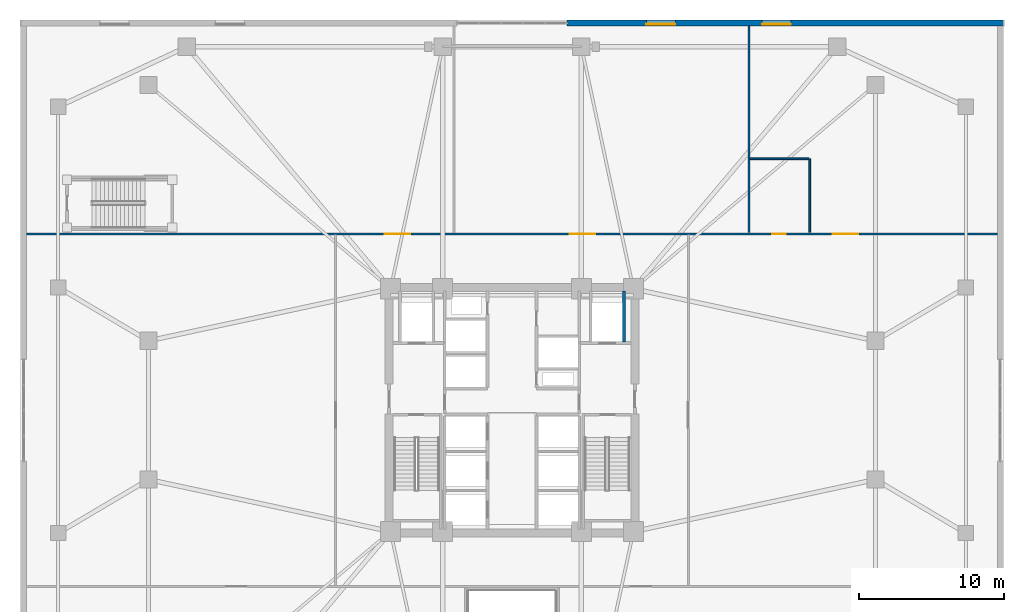
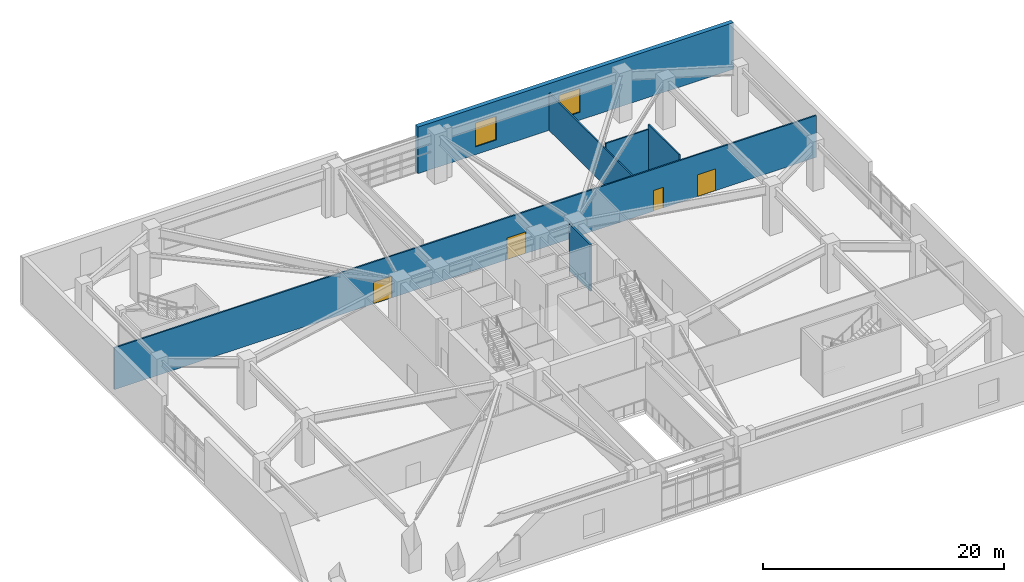
# One storey, part 13 of 20: 6 walls, 4 doors, 2 windows, 6 openings.
"""IFC4 building model written with IfcOpenShell, lengths in metres."""

from ifc_helpers import new_model, si_unit, direction, frame, frame_2d, origin, place, context, subcontext, project, spatial, rectangle, extrude, material, layer, layer_set, type_object, element, fill, save


model = new_model("IFC4")

# Units and contexts
model_context = context("Model", 3, precision=1e-05, world=origin(), true_north=direction((0.0, 1.0)))
body_context = subcontext(model_context, "Body", "Model", "MODEL_VIEW")
ifc_project = project(units=[si_unit("LENGTHUNIT", "METRE"), si_unit("AREAUNIT", "SQUARE_METRE"), si_unit("VOLUMEUNIT", "CUBIC_METRE"), si_unit("PLANEANGLEUNIT", "RADIAN"), si_unit("MASSUNIT", "GRAM", prefix="KILO")], contexts=[model_context])

# Site, building, storey
site_placement = place(None, origin())
site = spatial("IfcSite", under=ifc_project, at=site_placement, CompositionType="ELEMENT")
building_placement = place(site_placement, origin())
building = spatial("IfcBuilding", under=site, at=building_placement, Name="Cairnveth Concourse Tower", CompositionType="ELEMENT")
storey_placement = place(building_placement, frame((0.0, 0.0, 5.0)))
storey = spatial("IfcBuildingStorey", under=building, at=storey_placement, Name="L01", CompositionType="ELEMENT", Elevation=5.0)

# Wall
ifc_material_1 = material(Name="Concrete N50 (50 MPa)", Category="concrete")
ifc_layer_1 = layer(ifc_material_1, 0.199951171875)
ifc_layer_set_1 = layer_set([ifc_layer_1], Name="Concrete N50 (50 MPa)")
wall_type_1 = type_object("IfcWallType", Name="FIRE SHAFT WALL 200", PredefinedType="SOLIDWALL", material=ifc_layer_set_1)
wall_1_placement = place(storey_placement, frame((59.75, 43.735107421875, 0.0), z_axis=(0.0, 0.0, 1.0), x_axis=(0.0, 1.0, 0.0)))
element("IfcWall", 1, at=wall_1_placement, inside=storey, type_object=wall_type_1, Name="Interior Wall IW-L01-024", PredefinedType="SOLIDWALL", context=body_context, shape_type="SweptSolid", body=[
    extrude(rectangle(XDim=3.5048828125, YDim=0.199951171875, at=frame_2d((1.75244140625, 0.0))), origin(), (0.0, 0.0, 1.0), 4.719970703125),
])

# Wall, openings, doors
ifc_material_2 = material(Name="Gypsum Plasterboard Partition", Category="gypsum")
ifc_layer_2 = layer(ifc_material_2, 0.139892578125)
ifc_layer_set_2 = layer_set([ifc_layer_2], Name="Gypsum Plasterboard Partition")
wall_type_2 = type_object("IfcWallType", Name="GYPSUM STUD PARTITION 140", PredefinedType="PARTITIONING", material=ifc_layer_set_2)
wall_2_placement = place(storey_placement, frame((18.405029296875, 51.199951171875, 0.0), z_axis=(0.0, 0.0, 1.0), x_axis=(1.0, 0.0, 0.0)))
wall_2 = element("IfcWall", 2, at=wall_2_placement, inside=storey, type_object=wall_type_2, Name="Interior Wall IW-L01-038", PredefinedType="PARTITIONING", context=body_context, shape_type="SweptSolid", body=[
    extrude(rectangle(XDim=67.18994140625, YDim=0.139892578125, at=frame_2d((33.594970703125, 0.0))), origin(), (0.0, 0.0, 1.0), 4.238037109375),
])
opening_1_placement = place(wall_2_placement, frame((24.794921875, 0.0, 0.0)))
opening_1 = element("IfcOpeningElement", 3, at=opening_1_placement, cuts=wall_2, Name="Opening ID27", PredefinedType="OPENING", context=body_context, shape_type="SweptSolid", body=[
    extrude(rectangle(XDim=1.760009765625, YDim=2.199951171875, at=frame_2d((0.8798828125, 1.10009765625))), frame((0.0, 0.079833984375, 0.0), z_axis=(0.0, -1.0, 0.0), x_axis=(1.0, 0.0, 0.0)), (0.0, 0.0, 1.0), 0.159912109375),
])
opening_2_placement = place(wall_2_placement, frame((37.594970703125, 0.0, 0.0)))
opening_2 = element("IfcOpeningElement", 4, at=opening_2_placement, cuts=wall_2, Name="Opening ID27", PredefinedType="OPENING", context=body_context, shape_type="SweptSolid", body=[
    extrude(rectangle(XDim=1.760009765625, YDim=2.199951171875, at=frame_2d((0.8798828125, 1.10009765625))), frame((0.0, 0.079833984375, 0.0), z_axis=(0.0, -1.0, 0.0), x_axis=(1.0, 0.0, 0.0)), (0.0, 0.0, 1.0), 0.159912109375),
])
opening_3_placement = place(wall_2_placement, frame((51.594970703125, 0.0, 0.0)))
opening_3 = element("IfcOpeningElement", 5, at=opening_3_placement, cuts=wall_2, Name="Opening ID13", PredefinedType="OPENING", context=body_context, shape_type="SweptSolid", body=[
    extrude(rectangle(XDim=0.949951171875, YDim=2.10009765625, at=frame_2d((0.47509765625, 1.050048828125))), frame((0.0, 0.079833984375, 0.0), z_axis=(0.0, -1.0, 0.0), x_axis=(1.0, 0.0, 0.0)), (0.0, 0.0, 1.0), 0.159912109375),
])
opening_4_placement = place(wall_2_placement, frame((55.794921875, 0.0, 0.0)))
opening_4 = element("IfcOpeningElement", 6, at=opening_4_placement, cuts=wall_2, Name="Opening ID27", PredefinedType="OPENING", context=body_context, shape_type="SweptSolid", body=[
    extrude(rectangle(XDim=1.760009765625, YDim=2.199951171875, at=frame_2d((0.8798828125, 1.10009765625))), frame((0.0, 0.079833984375, 0.0), z_axis=(0.0, -1.0, 0.0), x_axis=(1.0, 0.0, 0.0)), (0.0, 0.0, 1.0), 0.159912109375),
])
ifc_material_3 = material(Name="Solid Core Hardwood Timber Leaf", Category="wood")
door_type_1 = type_object("IfcDoorType", Name="ACCESSIBLE WC DOOR 950X2100", OperationType="NOTDEFINED", PredefinedType="DOOR", material=ifc_material_3)
door_1_placement = place(opening_3_placement, origin())
door_1 = element("IfcDoor", 7, at=door_1_placement, inside=storey, type_object=door_type_1, Name="Interior Door DR-L01-017", OperationType="SINGLE_SWING_LEFT", OverallHeight=2.10009765625, OverallWidth=0.949951171875, PredefinedType="DOOR", context=body_context, shape_type="SweptSolid", body=[
    extrude(rectangle(XDim=0.949951171875, YDim=2.10009765625, at=frame_2d((0.47509765625, 1.050048828125))), frame((0.0, 0.02490234375, 0.0), z_axis=(0.0, -1.0, 0.0), x_axis=(1.0, 0.0, 0.0)), (0.0, 0.0, 1.0), 0.050048828125),
])
fill(opening_3, door_1)
door_type_2 = type_object("IfcDoorType", Name="CONCOURSE DOUBLE DOOR 1760X2200", OperationType="DOUBLE_DOOR_SINGLE_SWING", PredefinedType="DOOR", material=ifc_material_3)
door_2_placement = place(opening_1_placement, origin())
door_2 = element("IfcDoor", 8, at=door_2_placement, inside=storey, type_object=door_type_2, Name="Interior Door DR-L01-015", OperationType="DOUBLE_DOOR_SINGLE_SWING", OverallHeight=2.199951171875, OverallWidth=1.760009765625, PredefinedType="DOOR", context=body_context, shape_type="SweptSolid", body=[
    extrude(rectangle(XDim=1.760009765625, YDim=2.199951171875, at=frame_2d((0.8798828125, 1.10009765625))), frame((0.0, 0.02490234375, 0.0), z_axis=(0.0, -1.0, 0.0), x_axis=(1.0, 0.0, 0.0)), (0.0, 0.0, 1.0), 0.050048828125),
])
fill(opening_1, door_2)
door_3_placement = place(opening_2_placement, origin())
door_3 = element("IfcDoor", 9, at=door_3_placement, inside=storey, type_object=door_type_2, Name="Interior Door DR-L01-016", OperationType="DOUBLE_DOOR_SINGLE_SWING", OverallHeight=2.199951171875, OverallWidth=1.760009765625, PredefinedType="DOOR", context=body_context, shape_type="SweptSolid", body=[
    extrude(rectangle(XDim=1.760009765625, YDim=2.199951171875, at=frame_2d((0.8798828125, 1.10009765625))), frame((0.0, 0.02490234375, 0.0), z_axis=(0.0, -1.0, 0.0), x_axis=(1.0, 0.0, 0.0)), (0.0, 0.0, 1.0), 0.050048828125),
])
fill(opening_2, door_3)
door_4_placement = place(opening_4_placement, origin())
door_4 = element("IfcDoor", 10, at=door_4_placement, inside=storey, type_object=door_type_2, Name="Interior Door DR-L01-018", OperationType="DOUBLE_DOOR_SINGLE_SWING", OverallHeight=2.199951171875, OverallWidth=1.760009765625, PredefinedType="DOOR", context=body_context, shape_type="SweptSolid", body=[
    extrude(rectangle(XDim=1.760009765625, YDim=2.199951171875, at=frame_2d((0.8798828125, 1.10009765625))), frame((0.0, 0.02490234375, 0.0), z_axis=(0.0, -1.0, 0.0), x_axis=(1.0, 0.0, 0.0)), (0.0, 0.0, 1.0), 0.050048828125),
])
fill(opening_4, door_4)

# Wall, openings, windows
ifc_material_4 = material(Name="Hawthorn Red-Ochre Fired Clay Brick Masonry", Category="masonry")
ifc_layer_3 = layer(ifc_material_4, 0.419921875)
ifc_layer_set_3 = layer_set([ifc_layer_3], Name="Hawthorn Red-Ochre Fired Clay Brick Masonry")
wall_type_3 = type_object("IfcWallType", Name="PODIUM HAWTHORN BRICK WALL 420", PredefinedType="SOLIDWALL", material=ifc_layer_set_3)
wall_3_placement = place(storey_placement, frame((55.800048828125, 65.7900390625, 0.0), z_axis=(0.0, 0.0, 1.0), x_axis=(1.0, 0.0, 0.0)))
wall_3 = element("IfcWall", 11, at=wall_3_placement, inside=storey, type_object=wall_type_3, Name="Exterior Wall EW-L01-NE", PredefinedType="SOLIDWALL", context=body_context, shape_type="SweptSolid", body=[
    extrude(rectangle(XDim=30.199951171875, YDim=0.419921875, at=frame_2d((15.10009765625, 0.0))), origin(), (0.0, 0.0, 1.0), 4.719970703125),
])
opening_5_placement = place(wall_3_placement, frame((5.5, 0.0, 0.800048828125)))
opening_5 = element("IfcOpeningElement", 12, at=opening_5_placement, cuts=wall_3, Name="Opening W10", PredefinedType="OPENING", context=body_context, shape_type="SweptSolid", body=[
    extrude(rectangle(XDim=2.0, YDim=2.39990234375, at=frame_2d((1.0, 1.199951171875))), frame((0.0, 0.219970703125, 0.0), z_axis=(0.0, -1.0, 0.0), x_axis=(1.0, 0.0, 0.0)), (0.0, 0.0, 1.0), 0.43994140625),
])
opening_6_placement = place(wall_3_placement, frame((13.5, 0.0, 0.800048828125)))
opening_6 = element("IfcOpeningElement", 13, at=opening_6_placement, cuts=wall_3, Name="Opening W10", PredefinedType="OPENING", context=body_context, shape_type="SweptSolid", body=[
    extrude(rectangle(XDim=2.0, YDim=2.39990234375, at=frame_2d((1.0, 1.199951171875))), frame((0.0, 0.219970703125, 0.0), z_axis=(0.0, -1.0, 0.0), x_axis=(1.0, 0.0, 0.0)), (0.0, 0.0, 1.0), 0.43994140625),
])
ifc_material_5 = material(Name="Double Glazed Low-E Clear Glass", Category="glass")
window_type = type_object("IfcWindowType", Name="DEEP-SET PODIUM ARCHED WINDOW 2000X2400", PartitioningType="DOUBLE_PANEL_VERTICAL", PredefinedType="WINDOW", material=ifc_material_5)
window_1_placement = place(opening_5_placement, origin())
window_1 = element("IfcWindow", 14, at=window_1_placement, inside=storey, type_object=window_type, Name="WIN-L01-NE-1", OverallHeight=2.39990234375, OverallWidth=2.0, PartitioningType="SINGLE_PANEL", PredefinedType="WINDOW", context=body_context, shape_type="SweptSolid", body=[
    extrude(rectangle(XDim=2.0, YDim=2.39990234375, at=frame_2d((1.0, 1.199951171875))), frame((0.0, -0.050048828125, 0.0), z_axis=(0.0, -1.0, 0.0), x_axis=(1.0, 0.0, 0.0)), (0.0, 0.0, 1.0), 0.06005859375),
])
fill(opening_5, window_1)
window_2_placement = place(opening_6_placement, origin())
window_2 = element("IfcWindow", 15, at=window_2_placement, inside=storey, type_object=window_type, Name="WIN-L01-NE-2", OverallHeight=2.39990234375, OverallWidth=2.0, PartitioningType="SINGLE_PANEL", PredefinedType="WINDOW", context=body_context, shape_type="SweptSolid", body=[
    extrude(rectangle(XDim=2.0, YDim=2.39990234375, at=frame_2d((1.0, 1.199951171875))), frame((0.0, -0.050048828125, 0.0), z_axis=(0.0, -1.0, 0.0), x_axis=(1.0, 0.0, 0.0)), (0.0, 0.0, 1.0), 0.06005859375),
])
fill(opening_6, window_2)

# Walls
ifc_layer_4 = layer(ifc_material_2, 0.1298828125)
ifc_layer_set_4 = layer_set([ifc_layer_4], Name="Gypsum Plasterboard Partition")
wall_type_4 = type_object("IfcWallType", Name="WET AREA PARTITION 140", PredefinedType="PLUMBINGWALL", material=ifc_layer_set_4)
wall_4_placement = place(storey_placement, frame((68.39990234375, 51.300048828125, 0.0), z_axis=(0.0, 0.0, 1.0), x_axis=(0.0, 1.0, 0.0)))
element("IfcWall", 16, at=wall_4_placement, inside=storey, type_object=wall_type_4, Name="Interior Wall IW-L01-044", PredefinedType="PLUMBINGWALL", context=body_context, shape_type="SweptSolid", body=[
    extrude(rectangle(XDim=14.294921875, YDim=0.1298828125, at=frame_2d((7.1474609375, 0.0))), origin(), (0.0, 0.0, 1.0), 3.77099609375),
])
wall_5_placement = place(storey_placement, frame((72.60009765625, 51.300048828125, 0.0), z_axis=(0.0, 0.0, 1.0), x_axis=(0.0, 1.0, 0.0)))
element("IfcWall", 17, at=wall_5_placement, inside=storey, type_object=wall_type_4, Name="Interior Wall IW-L01-045", PredefinedType="PLUMBINGWALL", context=body_context, shape_type="SweptSolid", body=[
    extrude(rectangle(XDim=5.099853515625, YDim=0.1298828125, at=frame_2d((2.5498046875, 0.0))), origin(), (0.0, 0.0, 1.0), 4.719970703125),
])
wall_6_placement = place(storey_placement, frame((68.449951171875, 56.39990234375, 0.0), z_axis=(0.0, 0.0, 1.0), x_axis=(1.0, 0.0, 0.0)))
element("IfcWall", 18, at=wall_6_placement, inside=storey, type_object=wall_type_4, Name="Interior Wall IW-L01-046", PredefinedType="PLUMBINGWALL", context=body_context, shape_type="SweptSolid", body=[
    extrude(rectangle(XDim=4.10009765625, YDim=0.1298828125, at=frame_2d((2.050048828125, 0.0))), origin(), (0.0, 0.0, 1.0), 4.238037109375),
])

save(model, "model.ifc")
